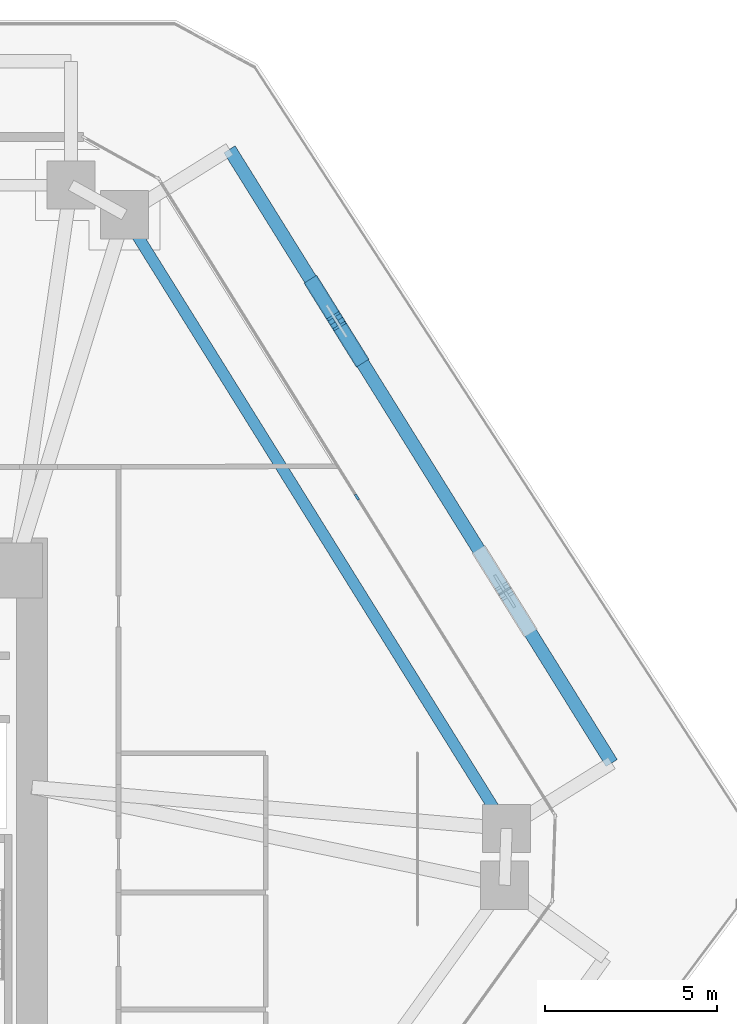
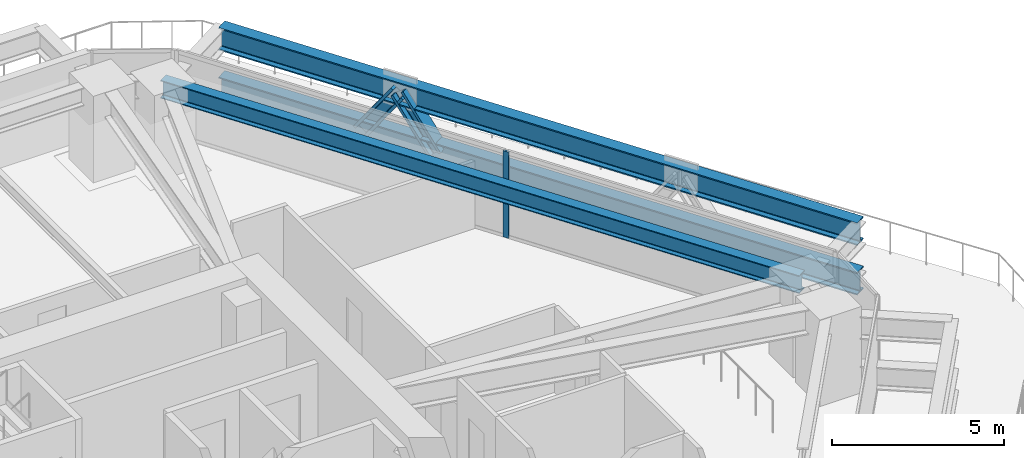
# One storey, part 9 of 20: 3 beams, 3 members, 1 element without a shape of its own.
"""IFC4 building model written with IfcOpenShell, lengths in metres."""

from ifc_helpers import new_model, si_unit, direction, frame, origin, origin_2d, place, context, subcontext, project, spatial, rectangle, i_section, extrude, source, transform, mapped, material, layer, layer_set, material_profile, profile_set, type_object, type_shapes, element, aggregate, save


model = new_model("IFC4")

# Units and contexts
model_context = context("Model", 3, precision=1e-05, world=origin(), true_north=direction((0.0, 1.0)))
body_context = subcontext(model_context, "Body", "Model", "MODEL_VIEW")
ifc_project = project(units=[si_unit("LENGTHUNIT", "METRE"), si_unit("AREAUNIT", "SQUARE_METRE"), si_unit("VOLUMEUNIT", "CUBIC_METRE"), si_unit("PLANEANGLEUNIT", "RADIAN"), si_unit("MASSUNIT", "GRAM", prefix="KILO")], contexts=[model_context])

# Site, building, storey
site_placement = place(None, origin())
site = spatial("IfcSite", under=ifc_project, at=site_placement, CompositionType="ELEMENT")
building_placement = place(site_placement, origin())
building = spatial("IfcBuilding", under=site, at=building_placement, Name="Durnholm Broadcast Tower", CompositionType="ELEMENT")
storey_placement = place(building_placement, frame((0.0, 0.0, 32.39990234375)))
storey = spatial("IfcBuildingStorey", under=building, at=storey_placement, Name="L06", CompositionType="ELEMENT", Elevation=32.39990234375)

# Beam
ifc_material_1 = material(Name="Steel ASTM A992 Grade 50", Category="steel")
ifc_material_profile_1 = material_profile(ifc_material_1, i_section(OverallWidth=0.3291015625, OverallDepth=0.635009765625, WebThickness=0.017822265625, FlangeThickness=0.031005859375, FilletRadius=0.02783203125, at=origin_2d()), Name="W24X162")
ifc_profile_set_1 = profile_set([ifc_material_profile_1], Name="Steel ASTM A992 Grade 50")
beam_type_1 = type_object("IfcBeamType", Name="STL-SP-W24X162", PredefinedType="SPANDREL", material=ifc_profile_set_1)
shared_shape_1 = source(origin(), body_context, "Body", "SweptSolid", [
    extrude(i_section(OverallWidth=0.3291015625, OverallDepth=0.635009765625, WebThickness=0.017822265625, FlangeThickness=0.031005859375, FilletRadius=0.02783203125, at=origin_2d()), origin(), (0.0, 0.0, 1.0), 21.014404296875),
])
type_shapes(beam_type_1, [shared_shape_1])
beam_placement = place(storey_placement, frame((12.982666015625, 18.138427734375, 2.7275390625), z_axis=(0.528595731543, -0.848873696491, 0.0), x_axis=(0.848873696491, 0.528595731543, 0.0)))
element("IfcBeam", 1, at=beam_placement, inside=storey, type_object=beam_type_1, Name="L06 perimeter spandrel girder 07", PredefinedType="SPANDREL", context=body_context, shape_type="MappedRepresentation", body=[
    mapped(shared_shape_1, transform((0.0, 0.0, 0.0), x_axis=(1.0, 0.0, 0.0), y_axis=(0.0, 1.0, 0.0), z_axis=(0.0, 0.0, 1.0), scale=1.0)),
])

# Members
ifc_material_2 = material(Name="Steel ASTM A913 Grade 65", Category="steel")
ifc_material_profile_2 = material_profile(ifc_material_2, i_section(OverallWidth=0.43212890625, OverallDepth=0.497802734375, WebThickness=0.0556640625, FlangeThickness=0.0888671875, FilletRadius=0.030517578125, at=origin_2d()), Name="W14X500")
ifc_profile_set_2 = profile_set([ifc_material_profile_2], Name="Steel ASTM A913 Grade 65")
member_type_1 = type_object("IfcMemberType", Name="STL-DG-W14X500", PredefinedType="BRACE", material=ifc_profile_set_2)
shared_shape_2 = source(origin(), body_context, "Body", "SweptSolid", [
    extrude(i_section(OverallWidth=0.43212890625, OverallDepth=0.497802734375, WebThickness=0.0556640625, FlangeThickness=0.0888671875, FilletRadius=0.030517578125, at=origin_2d()), origin(), (0.0, 0.0, 1.0), 2.148193359375),
])
type_shapes(member_type_1, [shared_shape_2])
for number, where, z_axis, x_axis, name in (
    (2, (19.801025390625, 13.9990234375, 0.550048828125), (-0.303558890723, 0.487558083565, 0.818620250796), (-0.848908635391, -0.528539618911, 0.0), "L06 stand-off diagrid brace F3.D2.1"),
    (3, (18.496826171875, 16.09375, 0.550048828125), (0.303558890723, -0.487558083565, 0.818620250796), (0.848908635391, 0.528539618911, 0.0), "L06 stand-off diagrid brace F3.D2.2"),
):
    element("IfcMember", number, at=place(storey_placement, frame(where, z_axis=z_axis, x_axis=x_axis)), inside=storey, type_object=member_type_1, Name=name, PredefinedType="BRACE", context=body_context, shape_type="MappedRepresentation", body=[
        mapped(shared_shape_2, transform((0.0, 0.0, 0.0), x_axis=(1.0, 0.0, 0.0), y_axis=(0.0, 1.0, 0.0), z_axis=(0.0, 0.0, 1.0), scale=1.0)),
    ])

# Beams
ifc_material_profile_3 = material_profile(ifc_material_1, i_section(OverallWidth=0.385009765625, OverallDepth=0.802978515625, WebThickness=0.023681640625, FlangeThickness=0.0419921875, FilletRadius=0.032958984375, at=origin_2d()), Name="W30X261")
ifc_profile_set_3 = profile_set([ifc_material_profile_3], Name="Steel ASTM A992 Grade 50")
beam_type_2 = type_object("IfcBeamType", Name="BM-EXO-TIE", PredefinedType="USERDEFINED", material=ifc_profile_set_3)
shared_shape_3 = source(origin(), body_context, "Body", "SweptSolid", [
    extrude(i_section(OverallWidth=0.385009765625, OverallDepth=0.802978515625, WebThickness=0.023681640625, FlangeThickness=0.0419921875, FilletRadius=0.032958984375, at=origin_2d()), origin(), (0.0, 0.0, 1.0), 21.0146484375),
])
type_shapes(beam_type_2, [shared_shape_3])
for number, where, z_axis, x_axis, name in (
    (4, (27.146728515625, 2.20263671875, 0.550048828125), (-0.528590518575, 0.848876942597, 0.0), (-0.848876942597, -0.528590518575, 0.0), "L06 zone-base exoskeleton collector spandrel F3"),
    (5, (27.146728515625, 2.20263671875, 2.30859375), (-0.528590518575, 0.848876942597, 0.0), (-0.848876942597, -0.528590518575, 0.0), "L06 exoskeleton collector spandrel F3"),
):
    element("IfcBeam", number, at=place(storey_placement, frame(where, z_axis=z_axis, x_axis=x_axis)), inside=storey, type_object=beam_type_2, Name=name, PredefinedType="SPANDREL", context=body_context, shape_type="MappedRepresentation", body=[
        mapped(shared_shape_3, transform((0.0, 0.0, 0.0), x_axis=(1.0, 0.0, 0.0), y_axis=(0.0, 1.0, 0.0), z_axis=(0.0, 0.0, 1.0), scale=1.0)),
    ])

# Curtain wall, member
ifc_material_3 = material(Name="Aluminium and Solar Control IGU", Category="aluminium")
ifc_layer = layer(ifc_material_3, 0.18994140625)
ifc_layer_set = layer_set([ifc_layer], Name="Aluminium and Solar Control IGU")
curtain_wall_type = type_object("IfcCurtainWallType", Name="CW-SYS-3", PredefinedType="NOTDEFINED", material=ifc_layer_set)
curtain_wall_placement = place(storey_placement, origin())
curtain_wall = element("IfcCurtainWall", 6, at=curtain_wall_placement, inside=storey, type_object=curtain_wall_type, Name="L06 curtain wall CW-Z12-VIS CW-L06-F06", PredefinedType="NOTDEFINED")
ifc_material_4 = material(Name="Aluminium 6063-T6", Category="aluminium")
ifc_material_profile_4 = material_profile(ifc_material_4, rectangle(XDim=0.070068359375, YDim=0.18994140625, at=origin_2d()), Name="CWM70X190")
ifc_profile_set_4 = profile_set([ifc_material_profile_4], Name="Aluminium 6063-T6")
member_type_2 = type_object("IfcMemberType", Name="CW-SYS-3-MUL", PredefinedType="MULLION", material=ifc_profile_set_4)
shared_shape_4 = source(origin(), body_context, "Body", "SweptSolid", [
    extrude(rectangle(XDim=0.070068359375, YDim=0.18994140625, at=origin_2d()), origin(), (0.0, 0.0, 1.0), 3.06005859375),
])
type_shapes(member_type_2, [shared_shape_4])
member_placement = place(storey_placement, frame((19.741943359375, 9.93212890625, 0.0), z_axis=(0.0, 0.0, 1.0), x_axis=(0.848875785503, 0.528592376777, 0.0)))
member = element("IfcMember", 7, at=member_placement, type_object=member_type_2, Name="CW-Z12-VIS mullion 2", PredefinedType="MULLION", context=body_context, shape_type="MappedRepresentation", body=[
    mapped(shared_shape_4, transform((0.0, 0.0, 0.0), x_axis=(1.0, 0.0, 0.0), y_axis=(0.0, 1.0, 0.0), z_axis=(0.0, 0.0, 1.0), scale=1.0)),
])
aggregate(curtain_wall, [member])

save(model, "model.ifc")
